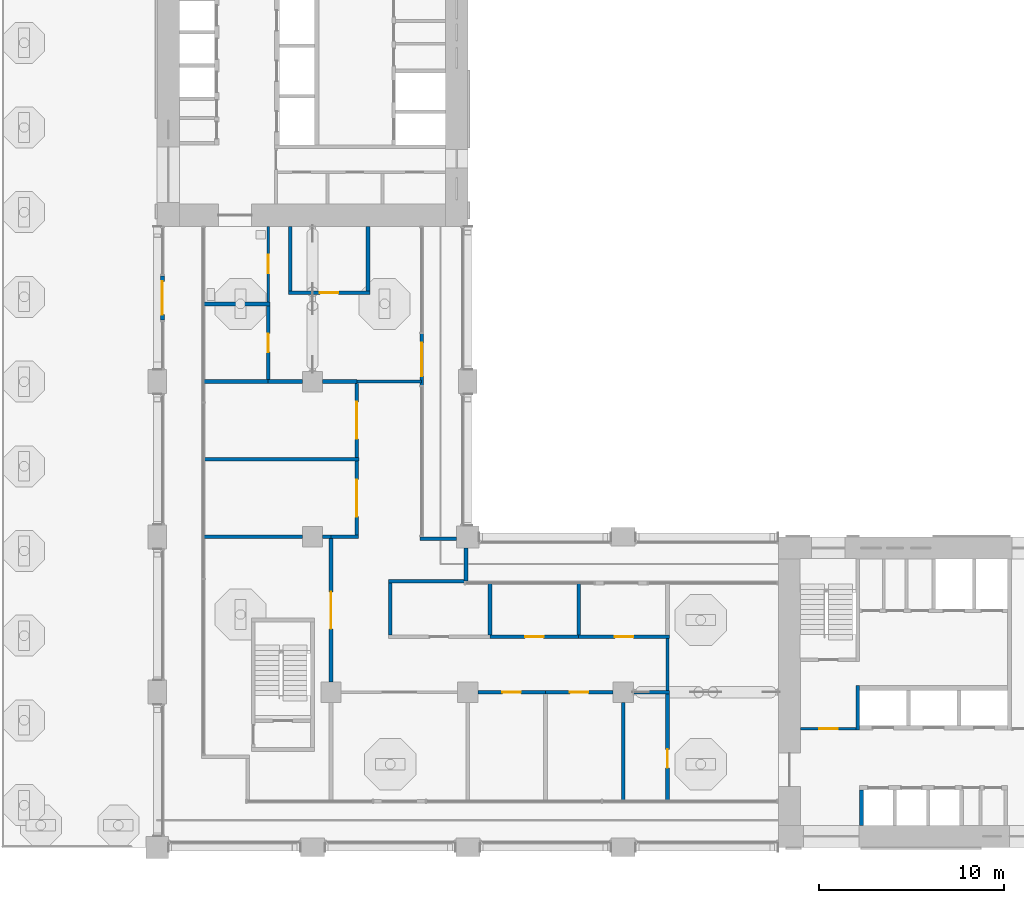
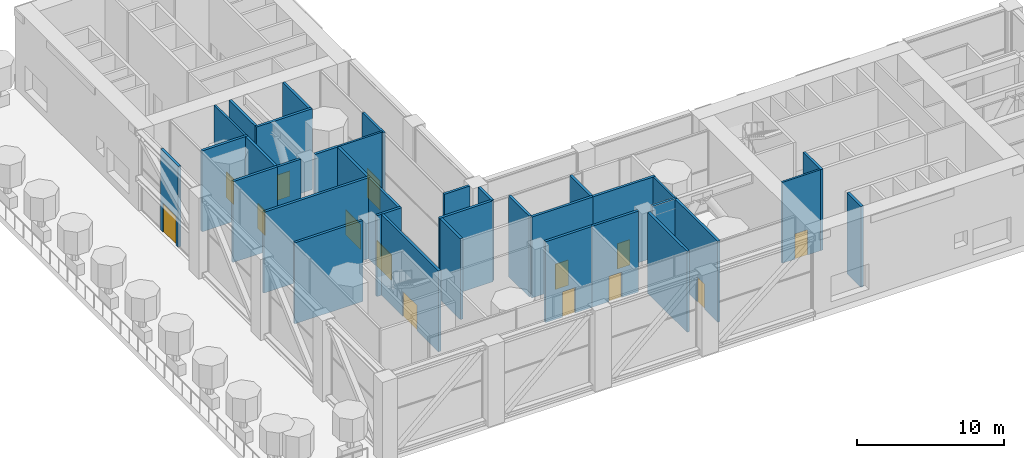
# One storey, part 9 of 22: 36 walls, 14 doors, 14 openings.
"""IFC4 building model written with IfcOpenShell, lengths in metres."""

from ifc_helpers import new_model, si_unit, direction, frame, frame_2d, origin, place, context, subcontext, project, spatial, rectangle, extrude, material, layer, layer_set, type_object, element, fill, save


model = new_model("IFC4")

# Units and contexts
model_context = context("Model", 3, precision=1e-05, world=origin(), true_north=direction((0.0, 1.0)))
body_context = subcontext(model_context, "Body", "Model", "MODEL_VIEW")
ifc_project = project(units=[si_unit("LENGTHUNIT", "METRE"), si_unit("AREAUNIT", "SQUARE_METRE"), si_unit("VOLUMEUNIT", "CUBIC_METRE"), si_unit("PLANEANGLEUNIT", "RADIAN"), si_unit("MASSUNIT", "GRAM", prefix="KILO")], contexts=[model_context])

# Site, building, storey
site_placement = place(None, origin())
site = spatial("IfcSite", under=ifc_project, at=site_placement, CompositionType="ELEMENT")
building_placement = place(site_placement, origin())
building = spatial("IfcBuilding", under=site, at=building_placement, Name="Vermilion Gate Residences", CompositionType="ELEMENT")
storey_placement = place(building_placement, frame((0.0, 0.0, 140.699951171875)))
storey = spatial("IfcBuildingStorey", under=building, at=storey_placement, Name="L36", CompositionType="ELEMENT", Elevation=140.699951171875)

# Wall, opening, door
ifc_material_1 = material(Name="Masonry blockwork", Category="masonry")
ifc_layer_1 = layer(ifc_material_1, 0.14990234375)
ifc_layer_set_1 = layer_set([ifc_layer_1], Name="BLOCKWORK PARTITION 150 EI 120")
wall_type_1 = type_object("IfcWallType", Name="BLOCKWORK PARTITION 150 EI 120", PredefinedType="PARTITIONING", material=ifc_layer_set_1)
wall_1_placement = place(storey_placement, frame((43.199951171875, 14.824951171875, 0.0), z_axis=(0.0, 0.0, 1.0), x_axis=(1.0, 0.0, 0.0)))
wall_1 = element("IfcWall", 1, at=wall_1_placement, inside=storey, type_object=wall_type_1, Name="Core room partition A36-VW-S", PredefinedType="PARTITIONING", context=body_context, shape_type="SweptSolid", body=[
    extrude(rectangle(XDim=3.0, YDim=0.14990234375, at=frame_2d((1.5, 0.0))), origin(), (0.0, 0.0, 1.0), 6.719970703125),
])
opening_1_placement = place(wall_1_placement, frame((1.0, 0.0, 0.0)))
opening_1 = element("IfcOpeningElement", 2, at=opening_1_placement, cuts=wall_1, Name="Opening DK36016", PredefinedType="OPENING", context=body_context, shape_type="SweptSolid", body=[
    extrude(rectangle(XDim=1.0, YDim=2.10009765625, at=frame_2d((0.5, 1.050048828125))), frame((0.0, 0.0849609375, 0.0), z_axis=(0.0, -1.0, 0.0), x_axis=(1.0, 0.0, 0.0)), (0.0, 0.0, 1.0), 0.169921875),
])
ifc_material_2 = material(Name="Steel", Category="steel")
door_type_1 = type_object("IfcDoorType", Name="FIRE DOOR FD60 1000 X 2100", OperationType="SINGLE_SWING_LEFT", PredefinedType="DOOR", material=ifc_material_2)
door_1_placement = place(opening_1_placement, frame((1.0, 0.0, 0.0), z_axis=(0.0, 0.0, 1.0), x_axis=(-1.0, 0.0, 0.0)))
door_1 = element("IfcDoor", 3, at=door_1_placement, inside=storey, type_object=door_type_1, Name="Stair vestibule door A36", OperationType="SINGLE_SWING_RIGHT", OverallHeight=2.10009765625, OverallWidth=1.0, PredefinedType="DOOR", context=body_context, shape_type="SweptSolid", body=[
    extrude(rectangle(XDim=1.0, YDim=2.10009765625, at=frame_2d((0.5, 1.050048828125))), frame((0.0, 0.02490234375, 0.0), z_axis=(0.0, -1.0, 0.0), x_axis=(1.0, 0.0, 0.0)), (0.0, 0.0, 1.0), 0.050048828125),
])
fill(opening_1, door_1)

# Walls
ifc_material_3 = material(Name="Insulated steel stud wall with terracotta rainscreen", Category="masonry")
ifc_layer_2 = layer(ifc_material_3, 0.199951171875)
ifc_layer_set_2 = layer_set([ifc_layer_2], Name="EXTERNAL WALL 200 TERRACOTTA RAINSCREEN")
wall_type_2 = type_object("IfcWallType", Name="EXTERNAL WALL 200 TERRACOTTA RAINSCREEN", PredefinedType="SOLIDWALL", material=ifc_layer_set_2)
wall_2_placement = place(storey_placement, frame((25.10009765625, 22.800048828125, 0.0), z_axis=(0.0, 0.0, 1.0), x_axis=(0.0, 1.0, 0.0)))
element("IfcWall", 4, at=wall_2_placement, inside=storey, type_object=wall_type_2, Name="External wall", PredefinedType="SOLIDWALL", context=body_context, shape_type="SweptSolid", body=[
    extrude(rectangle(XDim=1.800048828125, YDim=0.199951171875, at=frame_2d((0.89990234375, 0.0))), origin(), (0.0, 0.0, 1.0), 6.719970703125),
])
wall_3_placement = place(storey_placement, frame((24.60009765625, 25.10009765625, 0.0), z_axis=(0.0, 0.0, 1.0), x_axis=(-1.0, 0.0, 0.0)))
element("IfcWall", 5, at=wall_3_placement, inside=storey, type_object=wall_type_2, Name="External wall", PredefinedType="SOLIDWALL", context=body_context, shape_type="SweptSolid", body=[
    extrude(rectangle(XDim=2.0, YDim=0.199951171875, at=frame_2d((1.0, 0.0))), origin(), (0.0, 0.0, 1.0), 6.719970703125),
])

# Wall, opening, door
wall_4_placement = place(storey_placement, frame((22.699951171875, 33.39990234375, 0.0), z_axis=(0.0, 0.0, 1.0), x_axis=(0.0, 1.0, 0.0)))
wall_4 = element("IfcWall", 6, at=wall_4_placement, inside=storey, type_object=wall_type_2, Name="External wall", PredefinedType="SOLIDWALL", context=body_context, shape_type="SweptSolid", body=[
    extrude(rectangle(XDim=2.800048828125, YDim=0.199951171875, at=frame_2d((1.39990234375, 0.0))), origin(), (0.0, 0.0, 1.0), 6.719970703125),
])
opening_2_placement = place(wall_4_placement, frame((0.5, 0.0, 0.0)))
opening_2 = element("IfcOpeningElement", 7, at=opening_2_placement, cuts=wall_4, Name="Opening DE36004", PredefinedType="OPENING", context=body_context, shape_type="SweptSolid", body=[
    extrude(rectangle(XDim=1.800048828125, YDim=2.39990234375, at=frame_2d((0.89990234375, 1.199951171875))), frame((0.0, 0.10986328125, 0.0), z_axis=(0.0, -1.0, 0.0), x_axis=(1.0, 0.0, 0.0)), (0.0, 0.0, 1.0), 0.219970703125),
])
ifc_material_4 = material(Name="Aluminium and clear glass", Category="aluminium")
door_type_2 = type_object("IfcDoorType", Name="GLAZED EXTERNAL DOOR 1800 X 2400", OperationType="DOUBLE_DOOR_SINGLE_SWING", PredefinedType="DOOR", material=ifc_material_4)
door_2_placement = place(opening_2_placement, frame((1.800048828125, 0.0, 0.0), z_axis=(0.0, 0.0, 1.0), x_axis=(-1.0, 0.0, 0.0)))
door_2 = element("IfcDoor", 8, at=door_2_placement, inside=storey, type_object=door_type_2, Name="Terrace door", OperationType="DOUBLE_DOOR_SINGLE_SWING", OverallHeight=2.39990234375, OverallWidth=1.800048828125, PredefinedType="DOOR", context=body_context, shape_type="SweptSolid", body=[
    extrude(rectangle(XDim=1.800048828125, YDim=2.39990234375, at=frame_2d((0.89990234375, 1.199951171875))), frame((0.0, 0.02490234375, 0.0), z_axis=(0.0, -1.0, 0.0), x_axis=(1.0, 0.0, 0.0)), (0.0, 0.0, 1.0), 0.050048828125),
])
fill(opening_2, door_2)

wall_5_placement = place(storey_placement, frame((8.679931640625, 39.324951171875, 0.0), z_axis=(0.0, 0.0, 1.0), x_axis=(0.0, -1.0, 0.0)))
wall_5 = element("IfcWall", 9, at=wall_5_placement, inside=storey, type_object=wall_type_2, Name="External wall", PredefinedType="SOLIDWALL", context=body_context, shape_type="SweptSolid", body=[
    extrude(rectangle(XDim=2.39990234375, YDim=0.199951171875, at=frame_2d((1.199951171875, 0.0))), origin(), (0.0, 0.0, 1.0), 6.719970703125),
])
opening_3_placement = place(wall_5_placement, frame((0.300048828125, 0.0, 0.0)))
opening_3 = element("IfcOpeningElement", 10, at=opening_3_placement, cuts=wall_5, Name="Opening DE36005", PredefinedType="OPENING", context=body_context, shape_type="SweptSolid", body=[
    extrude(rectangle(XDim=1.800048828125, YDim=2.39990234375, at=frame_2d((0.89990234375, 1.199951171875))), frame((0.0, 0.10986328125, 0.0), z_axis=(0.0, -1.0, 0.0), x_axis=(1.0, 0.0, 0.0)), (0.0, 0.0, 1.0), 0.219970703125),
])
door_3_placement = place(opening_3_placement, frame((1.800048828125, 0.0, 0.0), z_axis=(0.0, 0.0, 1.0), x_axis=(-1.0, 0.0, 0.0)))
door_3 = element("IfcDoor", 11, at=door_3_placement, inside=storey, type_object=door_type_2, Name="Terrace door", OperationType="DOUBLE_DOOR_SINGLE_SWING", OverallHeight=2.39990234375, OverallWidth=1.800048828125, PredefinedType="DOOR", context=body_context, shape_type="SweptSolid", body=[
    extrude(rectangle(XDim=1.800048828125, YDim=2.39990234375, at=frame_2d((0.89990234375, 1.199951171875))), frame((0.0, 0.02490234375, 0.0), z_axis=(0.0, -1.0, 0.0), x_axis=(1.0, 0.0, 0.0)), (0.0, 0.0, 1.0), 0.050048828125),
])
fill(opening_3, door_3)

# Walls
ifc_material_5 = material(Name="Concrete blockwork", Category="masonry")
ifc_layer_3 = layer(ifc_material_5, 0.199951171875)
ifc_layer_set_3 = layer_set([ifc_layer_3], Name="FIRE WALL 200 EI 120 (AMENITY)")
wall_type_3 = type_object("IfcWallType", Name="FIRE WALL 200 EI 120 (AMENITY)", PredefinedType="PARTITIONING", material=ifc_layer_set_3)
wall_6_placement = place(storey_placement, frame((10.89990234375, 25.199951171875, 0.0), z_axis=(0.0, 0.0, 1.0), x_axis=(1.0, 0.0, 0.0)))
element("IfcWall", 12, at=wall_6_placement, inside=storey, type_object=wall_type_3, Name="Fire-resisting wall 1", PredefinedType="PARTITIONING", context=body_context, shape_type="SweptSolid", body=[
    extrude(rectangle(XDim=5.35009765625, YDim=0.199951171875, at=frame_2d((2.675048828125, 0.0))), origin(), (0.0, 0.0, 1.0), 6.719970703125),
])
wall_7_placement = place(storey_placement, frame((17.35009765625, 25.199951171875, 0.0), z_axis=(0.0, 0.0, 1.0), x_axis=(1.0, 0.0, 0.0)))
element("IfcWall", 13, at=wall_7_placement, inside=storey, type_object=wall_type_3, Name="Fire-resisting wall 2", PredefinedType="PARTITIONING", context=body_context, shape_type="SweptSolid", body=[
    extrude(rectangle(XDim=0.449951171875, YDim=0.199951171875, at=frame_2d((0.22509765625, 0.0))), origin(), (0.0, 0.0, 1.0), 6.719970703125),
])
wall_8_placement = place(storey_placement, frame((10.89990234375, 29.39990234375, 0.0), z_axis=(0.0, 0.0, 1.0), x_axis=(1.0, 0.0, 0.0)))
element("IfcWall", 14, at=wall_8_placement, inside=storey, type_object=wall_type_3, Name="Fire-resisting wall 3", PredefinedType="PARTITIONING", context=body_context, shape_type="SweptSolid", body=[
    extrude(rectangle(XDim=8.400146484375, YDim=0.199951171875, at=frame_2d((4.2001953125, 0.0))), origin(), (0.0, 0.0, 1.0), 6.719970703125),
])
wall_9_placement = place(storey_placement, frame((10.89990234375, 33.60009765625, 0.0), z_axis=(0.0, 0.0, 1.0), x_axis=(1.0, 0.0, 0.0)))
element("IfcWall", 15, at=wall_9_placement, inside=storey, type_object=wall_type_3, Name="Fire-resisting wall 4", PredefinedType="PARTITIONING", context=body_context, shape_type="SweptSolid", body=[
    extrude(rectangle(XDim=3.5, YDim=0.199951171875, at=frame_2d((1.75, 0.0))), origin(), (0.0, 0.0, 1.0), 6.719970703125),
])
wall_10_placement = place(storey_placement, frame((10.89990234375, 37.800048828125, 0.0), z_axis=(0.0, 0.0, 1.0), x_axis=(1.0, 0.0, 0.0)))
element("IfcWall", 16, at=wall_10_placement, inside=storey, type_object=wall_type_3, Name="Fire-resisting wall 5", PredefinedType="PARTITIONING", context=body_context, shape_type="SweptSolid", body=[
    extrude(rectangle(XDim=3.60009765625, YDim=0.199951171875, at=frame_2d((1.800048828125, 0.0))), origin(), (0.0, 0.0, 1.0), 6.719970703125),
])

# Wall, opening, door
wall_11_placement = place(storey_placement, frame((14.39990234375, 33.699951171875, 0.0), z_axis=(0.0, 0.0, 1.0), x_axis=(0.0, 1.0, 0.0)))
wall_11 = element("IfcWall", 17, at=wall_11_placement, inside=storey, type_object=wall_type_3, Name="Fire-resisting wall 6", PredefinedType="PARTITIONING", context=body_context, shape_type="SweptSolid", body=[
    extrude(rectangle(XDim=4.0, YDim=0.199951171875, at=frame_2d((2.0, 0.0))), origin(), (0.0, 0.0, 1.0), 6.719970703125),
])
opening_4_placement = place(wall_11_placement, frame((1.5, 0.0, 0.0)))
opening_4 = element("IfcOpeningElement", 18, at=opening_4_placement, cuts=wall_11, Name="Opening DM36009", PredefinedType="OPENING", context=body_context, shape_type="SweptSolid", body=[
    extrude(rectangle(XDim=1.0, YDim=2.10009765625, at=frame_2d((0.5, 1.050048828125))), frame((0.0, 0.10986328125, 0.0), z_axis=(0.0, -1.0, 0.0), x_axis=(1.0, 0.0, 0.0)), (0.0, 0.0, 1.0), 0.219970703125),
])
ifc_material_6 = material(Name="Steel", Category="steel")
door_type_3 = type_object("IfcDoorType", Name="DOOR 1000 X 2100 FD60 (AMENITY)", OperationType="SINGLE_SWING_LEFT", PredefinedType="DOOR", material=ifc_material_6)
door_4_placement = place(opening_4_placement, frame((1.0, 0.0, 0.0), z_axis=(0.0, 0.0, 1.0), x_axis=(-1.0, 0.0, 0.0)))
door_4 = element("IfcDoor", 19, at=door_4_placement, inside=storey, type_object=door_type_3, Name="Door L36 9", OperationType="SINGLE_SWING_RIGHT", OverallHeight=2.10009765625, OverallWidth=1.0, PredefinedType="DOOR", context=body_context, shape_type="SweptSolid", body=[
    extrude(rectangle(XDim=1.0, YDim=2.10009765625, at=frame_2d((0.5, 1.050048828125))), frame((0.0, 0.02490234375, 0.0), z_axis=(0.0, -1.0, 0.0), x_axis=(1.0, 0.0, 0.0)), (0.0, 0.0, 1.0), 0.050048828125),
])
fill(opening_4, door_4)

# Walls
wall_12_placement = place(storey_placement, frame((14.39990234375, 33.60009765625, 0.0), z_axis=(0.0, 0.0, 1.0), x_axis=(1.0, 0.0, 0.0)))
element("IfcWall", 20, at=wall_12_placement, inside=storey, type_object=wall_type_3, Name="Fire-resisting wall 7", PredefinedType="PARTITIONING", context=body_context, shape_type="SweptSolid", body=[
    extrude(rectangle(XDim=1.85009765625, YDim=0.199951171875, at=frame_2d((0.925048828125, 0.0))), origin(), (0.0, 0.0, 1.0), 6.719970703125),
])
wall_13_placement = place(storey_placement, frame((17.35009765625, 33.60009765625, 0.0), z_axis=(0.0, 0.0, 1.0), x_axis=(1.0, 0.0, 0.0)))
element("IfcWall", 21, at=wall_13_placement, inside=storey, type_object=wall_type_3, Name="Fire-resisting wall 8", PredefinedType="PARTITIONING", context=body_context, shape_type="SweptSolid", body=[
    extrude(rectangle(XDim=1.849853515625, YDim=0.199951171875, at=frame_2d((0.9248046875, 0.0))), origin(), (0.0, 0.0, 1.0), 6.719970703125),
])
wall_14_placement = place(storey_placement, frame((15.60009765625, 38.5, 0.0), z_axis=(0.0, 0.0, 1.0), x_axis=(0.0, 1.0, 0.0)))
element("IfcWall", 22, at=wall_14_placement, inside=storey, type_object=wall_type_3, Name="Fire-resisting wall 10", PredefinedType="PARTITIONING", context=body_context, shape_type="SweptSolid", body=[
    extrude(rectangle(XDim=3.5, YDim=0.199951171875, at=frame_2d((1.75, 0.0))), origin(), (0.0, 0.0, 1.0), 6.719970703125),
])

# Wall, opening, door
wall_15_placement = place(storey_placement, frame((15.5, 38.39990234375, 0.0), z_axis=(0.0, 0.0, 1.0), x_axis=(1.0, 0.0, 0.0)))
wall_15 = element("IfcWall", 23, at=wall_15_placement, inside=storey, type_object=wall_type_3, Name="Fire-resisting wall 11", PredefinedType="PARTITIONING", context=body_context, shape_type="SweptSolid", body=[
    extrude(rectangle(XDim=4.39990234375, YDim=0.199951171875, at=frame_2d((2.199951171875, 0.0))), origin(), (0.0, 0.0, 1.0), 6.719970703125),
])
opening_5_placement = place(wall_15_placement, frame((1.699951171875, 0.0, 0.0)))
opening_5 = element("IfcOpeningElement", 24, at=opening_5_placement, cuts=wall_15, Name="Opening DM36010", PredefinedType="OPENING", context=body_context, shape_type="SweptSolid", body=[
    extrude(rectangle(XDim=1.0, YDim=2.10009765625, at=frame_2d((0.5, 1.050048828125))), frame((0.0, 0.10986328125, 0.0), z_axis=(0.0, -1.0, 0.0), x_axis=(1.0, 0.0, 0.0)), (0.0, 0.0, 1.0), 0.219970703125),
])
door_5_placement = place(opening_5_placement, frame((1.0, 0.0, 0.0), z_axis=(0.0, 0.0, 1.0), x_axis=(-1.0, 0.0, 0.0)))
door_5 = element("IfcDoor", 25, at=door_5_placement, inside=storey, type_object=door_type_3, Name="Door L36 10", OperationType="SINGLE_SWING_LEFT", OverallHeight=2.10009765625, OverallWidth=1.0, PredefinedType="DOOR", context=body_context, shape_type="SweptSolid", body=[
    extrude(rectangle(XDim=1.0, YDim=2.10009765625, at=frame_2d((0.5, 1.050048828125))), frame((0.0, 0.02490234375, 0.0), z_axis=(0.0, -1.0, 0.0), x_axis=(1.0, 0.0, 0.0)), (0.0, 0.0, 1.0), 0.050048828125),
])
fill(opening_5, door_5)

wall_16_placement = place(storey_placement, frame((17.800048828125, 17.35009765625, 0.0), z_axis=(0.0, 0.0, 1.0), x_axis=(0.0, 1.0, 0.0)))
wall_16 = element("IfcWall", 26, at=wall_16_placement, inside=storey, type_object=wall_type_3, Name="Fire-resisting wall 13", PredefinedType="PARTITIONING", context=body_context, shape_type="SweptSolid", body=[
    extrude(rectangle(XDim=7.75, YDim=0.199951171875, at=frame_2d((3.875, 0.0))), origin(), (0.0, 0.0, 1.0), 6.719970703125),
])
opening_6_placement = place(wall_16_placement, frame((2.875, 0.0, 0.0)))
opening_6 = element("IfcOpeningElement", 27, at=opening_6_placement, cuts=wall_16, Name="Opening DM36001", PredefinedType="OPENING", context=body_context, shape_type="SweptSolid", body=[
    extrude(rectangle(XDim=2.0, YDim=2.10009765625, at=frame_2d((1.0, 1.050048828125))), frame((0.0, 0.10986328125, 0.0), z_axis=(0.0, -1.0, 0.0), x_axis=(1.0, 0.0, 0.0)), (0.0, 0.0, 1.0), 0.219970703125),
])
ifc_material_7 = material(Name="Steel", Category="steel")
door_type_4 = type_object("IfcDoorType", Name="DOUBLE DOOR 2000 X 2100 FD60 (AMENITY)", OperationType="DOUBLE_DOOR_SINGLE_SWING", PredefinedType="DOOR", material=ifc_material_7)
door_6_placement = place(opening_6_placement, frame((2.0, 0.0, 0.0), z_axis=(0.0, 0.0, 1.0), x_axis=(-1.0, 0.0, 0.0)))
door_6 = element("IfcDoor", 28, at=door_6_placement, inside=storey, type_object=door_type_4, Name="Door L36 1", OperationType="DOUBLE_DOOR_SINGLE_SWING", OverallHeight=2.10009765625, OverallWidth=2.0, PredefinedType="DOOR", context=body_context, shape_type="SweptSolid", body=[
    extrude(rectangle(XDim=2.0, YDim=2.10009765625, at=frame_2d((1.0, 1.050048828125))), frame((0.0, 0.02490234375, 0.0), z_axis=(0.0, -1.0, 0.0), x_axis=(1.0, 0.0, 0.0)), (0.0, 0.0, 1.0), 0.050048828125),
])
fill(opening_6, door_6)

# Wall
wall_17_placement = place(storey_placement, frame((17.800048828125, 25.199951171875, 0.0), z_axis=(0.0, 0.0, 1.0), x_axis=(1.0, 0.0, 0.0)))
element("IfcWall", 29, at=wall_17_placement, inside=storey, type_object=wall_type_3, Name="Fire-resisting wall 15", PredefinedType="PARTITIONING", context=body_context, shape_type="SweptSolid", body=[
    extrude(rectangle(XDim=1.5, YDim=0.199951171875, at=frame_2d((0.75, 0.0))), origin(), (0.0, 0.0, 1.0), 6.719970703125),
])

# Wall, opening, door
wall_18_placement = place(storey_placement, frame((19.199951171875, 25.300048828125, 0.0), z_axis=(0.0, 0.0, 1.0), x_axis=(0.0, 1.0, 0.0)))
wall_18 = element("IfcWall", 30, at=wall_18_placement, inside=storey, type_object=wall_type_3, Name="Fire-resisting wall 16", PredefinedType="PARTITIONING", context=body_context, shape_type="SweptSolid", body=[
    extrude(rectangle(XDim=4.0, YDim=0.199951171875, at=frame_2d((2.0, 0.0))), origin(), (0.0, 0.0, 1.0), 6.719970703125),
])
opening_7_placement = place(wall_18_placement, frame((1.0, 0.0, 0.0)))
opening_7 = element("IfcOpeningElement", 31, at=opening_7_placement, cuts=wall_18, Name="Opening DM36006", PredefinedType="OPENING", context=body_context, shape_type="SweptSolid", body=[
    extrude(rectangle(XDim=2.0, YDim=2.10009765625, at=frame_2d((1.0, 1.050048828125))), frame((0.0, 0.10986328125, 0.0), z_axis=(0.0, -1.0, 0.0), x_axis=(1.0, 0.0, 0.0)), (0.0, 0.0, 1.0), 0.219970703125),
])
door_7_placement = place(opening_7_placement, origin())
door_7 = element("IfcDoor", 32, at=door_7_placement, inside=storey, type_object=door_type_4, Name="Door L36 6", OperationType="DOUBLE_DOOR_SINGLE_SWING", OverallHeight=2.10009765625, OverallWidth=2.0, PredefinedType="DOOR", context=body_context, shape_type="SweptSolid", body=[
    extrude(rectangle(XDim=2.0, YDim=2.10009765625, at=frame_2d((1.0, 1.050048828125))), frame((0.0, 0.02490234375, 0.0), z_axis=(0.0, -1.0, 0.0), x_axis=(1.0, 0.0, 0.0)), (0.0, 0.0, 1.0), 0.050048828125),
])
fill(opening_7, door_7)

wall_19_placement = place(storey_placement, frame((19.199951171875, 29.5, 0.0), z_axis=(0.0, 0.0, 1.0), x_axis=(0.0, 1.0, 0.0)))
wall_19 = element("IfcWall", 33, at=wall_19_placement, inside=storey, type_object=wall_type_3, Name="Fire-resisting wall 17", PredefinedType="PARTITIONING", context=body_context, shape_type="SweptSolid", body=[
    extrude(rectangle(XDim=4.0, YDim=0.199951171875, at=frame_2d((2.0, 0.0))), origin(), (0.0, 0.0, 1.0), 6.719970703125),
])
opening_8_placement = place(wall_19_placement, frame((1.0, 0.0, 0.0)))
opening_8 = element("IfcOpeningElement", 34, at=opening_8_placement, cuts=wall_19, Name="Opening DM36007", PredefinedType="OPENING", context=body_context, shape_type="SweptSolid", body=[
    extrude(rectangle(XDim=2.0, YDim=2.10009765625, at=frame_2d((1.0, 1.050048828125))), frame((0.0, 0.10986328125, 0.0), z_axis=(0.0, -1.0, 0.0), x_axis=(1.0, 0.0, 0.0)), (0.0, 0.0, 1.0), 0.219970703125),
])
door_8_placement = place(opening_8_placement, origin())
door_8 = element("IfcDoor", 35, at=door_8_placement, inside=storey, type_object=door_type_4, Name="Door L36 7", OperationType="DOUBLE_DOOR_SINGLE_SWING", OverallHeight=2.10009765625, OverallWidth=2.0, PredefinedType="DOOR", context=body_context, shape_type="SweptSolid", body=[
    extrude(rectangle(XDim=2.0, YDim=2.10009765625, at=frame_2d((1.0, 1.050048828125))), frame((0.0, 0.02490234375, 0.0), z_axis=(0.0, -1.0, 0.0), x_axis=(1.0, 0.0, 0.0)), (0.0, 0.0, 1.0), 0.050048828125),
])
fill(opening_8, door_8)

# Walls
wall_20_placement = place(storey_placement, frame((19.800048828125, 38.5, 0.0), z_axis=(0.0, 0.0, 1.0), x_axis=(0.0, 1.0, 0.0)))
element("IfcWall", 36, at=wall_20_placement, inside=storey, type_object=wall_type_3, Name="Fire-resisting wall 19", PredefinedType="PARTITIONING", context=body_context, shape_type="SweptSolid", body=[
    extrude(rectangle(XDim=3.5, YDim=0.199951171875, at=frame_2d((1.75, 0.0))), origin(), (0.0, 0.0, 1.0), 6.719970703125),
])
wall_21_placement = place(storey_placement, frame((21.0, 19.89990234375, 0.0), z_axis=(0.0, 0.0, 1.0), x_axis=(0.0, 1.0, 0.0)))
element("IfcWall", 37, at=wall_21_placement, inside=storey, type_object=wall_type_3, Name="Fire-resisting wall 20", PredefinedType="PARTITIONING", context=body_context, shape_type="SweptSolid", body=[
    extrude(rectangle(XDim=2.800048828125, YDim=0.199951171875, at=frame_2d((1.39990234375, 0.0))), origin(), (0.0, 0.0, 1.0), 6.719970703125),
])
wall_22_placement = place(storey_placement, frame((20.89990234375, 22.800048828125, 0.0), z_axis=(0.0, 0.0, 1.0), x_axis=(1.0, 0.0, 0.0)))
element("IfcWall", 38, at=wall_22_placement, inside=storey, type_object=wall_type_3, Name="Fire-resisting wall 22", PredefinedType="PARTITIONING", context=body_context, shape_type="SweptSolid", body=[
    extrude(rectangle(XDim=4.2001953125, YDim=0.199951171875, at=frame_2d((2.10009765625, 0.0))), origin(), (0.0, 0.0, 1.0), 6.719970703125),
])

# Wall, opening, door
wall_23_placement = place(storey_placement, frame((25.75, 16.800048828125, 0.0), z_axis=(0.0, 0.0, 1.0), x_axis=(1.0, 0.0, 0.0)))
wall_23 = element("IfcWall", 39, at=wall_23_placement, inside=storey, type_object=wall_type_3, Name="Fire-resisting wall 24", PredefinedType="PARTITIONING", context=body_context, shape_type="SweptSolid", body=[
    extrude(rectangle(XDim=3.64990234375, YDim=0.199951171875, at=frame_2d((1.824951171875, 0.0))), origin(), (0.0, 0.0, 1.0), 6.719970703125),
])
opening_9_placement = place(wall_23_placement, frame((1.324951171875, 0.0, 0.0)))
opening_9 = element("IfcOpeningElement", 40, at=opening_9_placement, cuts=wall_23, Name="Opening DM36003", PredefinedType="OPENING", context=body_context, shape_type="SweptSolid", body=[
    extrude(rectangle(XDim=1.0, YDim=2.10009765625, at=frame_2d((0.5, 1.050048828125))), frame((0.0, 0.10986328125, 0.0), z_axis=(0.0, -1.0, 0.0), x_axis=(1.0, 0.0, 0.0)), (0.0, 0.0, 1.0), 0.219970703125),
])
door_9_placement = place(opening_9_placement, origin())
door_9 = element("IfcDoor", 41, at=door_9_placement, inside=storey, type_object=door_type_3, Name="Door L36 3", OperationType="SINGLE_SWING_LEFT", OverallHeight=2.10009765625, OverallWidth=1.0, PredefinedType="DOOR", context=body_context, shape_type="SweptSolid", body=[
    extrude(rectangle(XDim=1.0, YDim=2.10009765625, at=frame_2d((0.5, 1.050048828125))), frame((0.0, 0.02490234375, 0.0), z_axis=(0.0, -1.0, 0.0), x_axis=(1.0, 0.0, 0.0)), (0.0, 0.0, 1.0), 0.050048828125),
])
fill(opening_9, door_9)

# Wall
wall_24_placement = place(storey_placement, frame((26.39990234375, 19.89990234375, 0.0), z_axis=(0.0, 0.0, 1.0), x_axis=(0.0, 1.0, 0.0)))
element("IfcWall", 42, at=wall_24_placement, inside=storey, type_object=wall_type_3, Name="Fire-resisting wall 25", PredefinedType="PARTITIONING", context=body_context, shape_type="SweptSolid", body=[
    extrude(rectangle(XDim=2.800048828125, YDim=0.199951171875, at=frame_2d((1.39990234375, 0.0))), origin(), (0.0, 0.0, 1.0), 6.719970703125),
])

# Wall, opening, door
wall_25_placement = place(storey_placement, frame((26.39990234375, 19.800048828125, 0.0), z_axis=(0.0, 0.0, 1.0), x_axis=(1.0, 0.0, 0.0)))
wall_25 = element("IfcWall", 43, at=wall_25_placement, inside=storey, type_object=wall_type_3, Name="Fire-resisting wall 26", PredefinedType="PARTITIONING", context=body_context, shape_type="SweptSolid", body=[
    extrude(rectangle(XDim=4.800048828125, YDim=0.199951171875, at=frame_2d((2.39990234375, 0.0))), origin(), (0.0, 0.0, 1.0), 6.719970703125),
])
opening_10_placement = place(wall_25_placement, frame((1.89990234375, 0.0, 0.0)))
opening_10 = element("IfcOpeningElement", 44, at=opening_10_placement, cuts=wall_25, Name="Opening DM36012", PredefinedType="OPENING", context=body_context, shape_type="SweptSolid", body=[
    extrude(rectangle(XDim=1.0, YDim=2.10009765625, at=frame_2d((0.5, 1.050048828125))), frame((0.0, 0.10986328125, 0.0), z_axis=(0.0, -1.0, 0.0), x_axis=(1.0, 0.0, 0.0)), (0.0, 0.0, 1.0), 0.219970703125),
])
door_10_placement = place(opening_10_placement, origin())
door_10 = element("IfcDoor", 45, at=door_10_placement, inside=storey, type_object=door_type_3, Name="Door L36 12", OperationType="SINGLE_SWING_LEFT", OverallHeight=2.10009765625, OverallWidth=1.0, PredefinedType="DOOR", context=body_context, shape_type="SweptSolid", body=[
    extrude(rectangle(XDim=1.0, YDim=2.10009765625, at=frame_2d((0.5, 1.050048828125))), frame((0.0, 0.02490234375, 0.0), z_axis=(0.0, -1.0, 0.0), x_axis=(1.0, 0.0, 0.0)), (0.0, 0.0, 1.0), 0.050048828125),
])
fill(opening_10, door_10)

wall_26_placement = place(storey_placement, frame((29.39990234375, 16.800048828125, 0.0), z_axis=(0.0, 0.0, 1.0), x_axis=(1.0, 0.0, 0.0)))
wall_26 = element("IfcWall", 46, at=wall_26_placement, inside=storey, type_object=wall_type_3, Name="Fire-resisting wall 28", PredefinedType="PARTITIONING", context=body_context, shape_type="SweptSolid", body=[
    extrude(rectangle(XDim=3.650146484375, YDim=0.199951171875, at=frame_2d((1.8251953125, 0.0))), origin(), (0.0, 0.0, 1.0), 6.719970703125),
])
opening_11_placement = place(wall_26_placement, frame((1.324951171875, 0.0, 0.0)))
opening_11 = element("IfcOpeningElement", 47, at=opening_11_placement, cuts=wall_26, Name="Opening DM36004", PredefinedType="OPENING", context=body_context, shape_type="SweptSolid", body=[
    extrude(rectangle(XDim=1.0, YDim=2.10009765625, at=frame_2d((0.5, 1.050048828125))), frame((0.0, 0.10986328125, 0.0), z_axis=(0.0, -1.0, 0.0), x_axis=(1.0, 0.0, 0.0)), (0.0, 0.0, 1.0), 0.219970703125),
])
door_11_placement = place(opening_11_placement, origin())
door_11 = element("IfcDoor", 48, at=door_11_placement, inside=storey, type_object=door_type_3, Name="Door L36 4", OperationType="SINGLE_SWING_RIGHT", OverallHeight=2.10009765625, OverallWidth=1.0, PredefinedType="DOOR", context=body_context, shape_type="SweptSolid", body=[
    extrude(rectangle(XDim=1.0, YDim=2.10009765625, at=frame_2d((0.5, 1.050048828125))), frame((0.0, 0.02490234375, 0.0), z_axis=(0.0, -1.0, 0.0), x_axis=(1.0, 0.0, 0.0)), (0.0, 0.0, 1.0), 0.050048828125),
])
fill(opening_11, door_11)

# Wall
wall_27_placement = place(storey_placement, frame((31.199951171875, 19.89990234375, 0.0), z_axis=(0.0, 0.0, 1.0), x_axis=(0.0, 1.0, 0.0)))
element("IfcWall", 49, at=wall_27_placement, inside=storey, type_object=wall_type_3, Name="Fire-resisting wall 29", PredefinedType="PARTITIONING", context=body_context, shape_type="SweptSolid", body=[
    extrude(rectangle(XDim=2.800048828125, YDim=0.199951171875, at=frame_2d((1.39990234375, 0.0))), origin(), (0.0, 0.0, 1.0), 6.719970703125),
])

# Wall, opening, door
wall_28_placement = place(storey_placement, frame((31.199951171875, 19.800048828125, 0.0), z_axis=(0.0, 0.0, 1.0), x_axis=(1.0, 0.0, 0.0)))
wall_28 = element("IfcWall", 50, at=wall_28_placement, inside=storey, type_object=wall_type_3, Name="Fire-resisting wall 30", PredefinedType="PARTITIONING", context=body_context, shape_type="SweptSolid", body=[
    extrude(rectangle(XDim=4.900146484375, YDim=0.199951171875, at=frame_2d((2.4501953125, 0.0))), origin(), (0.0, 0.0, 1.0), 6.719970703125),
])
opening_12_placement = place(wall_28_placement, frame((1.949951171875, 0.0, 0.0)))
opening_12 = element("IfcOpeningElement", 51, at=opening_12_placement, cuts=wall_28, Name="Opening DM36013", PredefinedType="OPENING", context=body_context, shape_type="SweptSolid", body=[
    extrude(rectangle(XDim=1.0, YDim=2.10009765625, at=frame_2d((0.5, 1.050048828125))), frame((0.0, 0.10986328125, 0.0), z_axis=(0.0, -1.0, 0.0), x_axis=(1.0, 0.0, 0.0)), (0.0, 0.0, 1.0), 0.219970703125),
])
door_12_placement = place(opening_12_placement, frame((1.0, 0.0, 0.0), z_axis=(0.0, 0.0, 1.0), x_axis=(-1.0, 0.0, 0.0)))
door_12 = element("IfcDoor", 52, at=door_12_placement, inside=storey, type_object=door_type_3, Name="Door L36 13", OperationType="SINGLE_SWING_LEFT", OverallHeight=2.10009765625, OverallWidth=1.0, PredefinedType="DOOR", context=body_context, shape_type="SweptSolid", body=[
    extrude(rectangle(XDim=1.0, YDim=2.10009765625, at=frame_2d((0.5, 1.050048828125))), frame((0.0, 0.02490234375, 0.0), z_axis=(0.0, -1.0, 0.0), x_axis=(1.0, 0.0, 0.0)), (0.0, 0.0, 1.0), 0.050048828125),
])
fill(opening_12, door_12)

# Walls
wall_29_placement = place(storey_placement, frame((33.60009765625, 10.89990234375, 0.0), z_axis=(0.0, 0.0, 1.0), x_axis=(0.0, 1.0, 0.0)))
element("IfcWall", 53, at=wall_29_placement, inside=storey, type_object=wall_type_3, Name="Fire-resisting wall 31", PredefinedType="PARTITIONING", context=body_context, shape_type="SweptSolid", body=[
    extrude(rectangle(XDim=5.35009765625, YDim=0.199951171875, at=frame_2d((2.675048828125, 0.0))), origin(), (0.0, 0.0, 1.0), 6.719970703125),
])
wall_30_placement = place(storey_placement, frame((34.14990234375, 16.800048828125, 0.0), z_axis=(0.0, 0.0, 1.0), x_axis=(1.0, 0.0, 0.0)))
element("IfcWall", 54, at=wall_30_placement, inside=storey, type_object=wall_type_3, Name="Fire-resisting wall 32", PredefinedType="PARTITIONING", context=body_context, shape_type="SweptSolid", body=[
    extrude(rectangle(XDim=1.9501953125, YDim=0.199951171875, at=frame_2d((0.97509765625, 0.0))), origin(), (0.0, 0.0, 1.0), 6.719970703125),
])

# Wall, opening, door
wall_31_placement = place(storey_placement, frame((36.0, 10.89990234375, 0.0), z_axis=(0.0, 0.0, 1.0), x_axis=(0.0, 1.0, 0.0)))
wall_31 = element("IfcWall", 55, at=wall_31_placement, inside=storey, type_object=wall_type_3, Name="Fire-resisting wall 33", PredefinedType="PARTITIONING", context=body_context, shape_type="SweptSolid", body=[
    extrude(rectangle(XDim=5.800048828125, YDim=0.199951171875, at=frame_2d((2.89990234375, 0.0))), origin(), (0.0, 0.0, 1.0), 6.719970703125),
])
opening_13_placement = place(wall_31_placement, frame((1.800048828125, 0.0, 0.0)))
opening_13 = element("IfcOpeningElement", 56, at=opening_13_placement, cuts=wall_31, Name="Opening DM36005", PredefinedType="OPENING", context=body_context, shape_type="SweptSolid", body=[
    extrude(rectangle(XDim=1.0, YDim=2.10009765625, at=frame_2d((0.5, 1.050048828125))), frame((0.0, 0.10986328125, 0.0), z_axis=(0.0, -1.0, 0.0), x_axis=(1.0, 0.0, 0.0)), (0.0, 0.0, 1.0), 0.219970703125),
])
door_13_placement = place(opening_13_placement, frame((1.0, 0.0, 0.0), z_axis=(0.0, 0.0, 1.0), x_axis=(-1.0, 0.0, 0.0)))
door_13 = element("IfcDoor", 57, at=door_13_placement, inside=storey, type_object=door_type_3, Name="Door L36 5", OperationType="SINGLE_SWING_LEFT", OverallHeight=2.10009765625, OverallWidth=1.0, PredefinedType="DOOR", context=body_context, shape_type="SweptSolid", body=[
    extrude(rectangle(XDim=1.0, YDim=2.10009765625, at=frame_2d((0.5, 1.050048828125))), frame((0.0, 0.02490234375, 0.0), z_axis=(0.0, -1.0, 0.0), x_axis=(1.0, 0.0, 0.0)), (0.0, 0.0, 1.0), 0.050048828125),
])
fill(opening_13, door_13)

ifc_material_8 = material(Name="Gypsum board on steel studs", Category="steel")
ifc_layer_4 = layer(ifc_material_8, 0.14990234375)
ifc_layer_set_4 = layer_set([ifc_layer_4], Name="PARTITION 150 EI 60 (AMENITY)")
wall_type_4 = type_object("IfcWallType", Name="PARTITION 150 EI 60 (AMENITY)", PredefinedType="PARTITIONING", material=ifc_layer_set_4)
wall_32_placement = place(storey_placement, frame((14.39990234375, 37.89990234375, 0.0), z_axis=(0.0, 0.0, 1.0), x_axis=(0.0, 1.0, 0.0)))
wall_32 = element("IfcWall", 58, at=wall_32_placement, inside=storey, type_object=wall_type_4, Name="Partition 9", PredefinedType="PARTITIONING", context=body_context, shape_type="SweptSolid", body=[
    extrude(rectangle(XDim=4.10009765625, YDim=0.14990234375, at=frame_2d((2.050048828125, 0.0))), origin(), (0.0, 0.0, 1.0), 6.719970703125),
])
opening_14_placement = place(wall_32_placement, frame((1.550048828125, 0.0, 0.0)))
opening_14 = element("IfcOpeningElement", 59, at=opening_14_placement, cuts=wall_32, Name="Opening DM36008", PredefinedType="OPENING", context=body_context, shape_type="SweptSolid", body=[
    extrude(rectangle(XDim=1.0, YDim=2.10009765625, at=frame_2d((0.5, 1.050048828125))), frame((0.0, 0.0849609375, 0.0), z_axis=(0.0, -1.0, 0.0), x_axis=(1.0, 0.0, 0.0)), (0.0, 0.0, 1.0), 0.169921875),
])
ifc_material_9 = material(Name="Steel", Category="steel")
door_type_5 = type_object("IfcDoorType", Name="DOOR 1000 X 2100 FD30 (AMENITY)", OperationType="SINGLE_SWING_LEFT", PredefinedType="DOOR", material=ifc_material_9)
door_14_placement = place(opening_14_placement, origin())
door_14 = element("IfcDoor", 60, at=door_14_placement, inside=storey, type_object=door_type_5, Name="Door L36 8", OperationType="SINGLE_SWING_LEFT", OverallHeight=2.10009765625, OverallWidth=1.0, PredefinedType="DOOR", context=body_context, shape_type="SweptSolid", body=[
    extrude(rectangle(XDim=1.0, YDim=2.10009765625, at=frame_2d((0.5, 1.050048828125))), frame((0.0, 0.02490234375, 0.0), z_axis=(0.0, -1.0, 0.0), x_axis=(1.0, 0.0, 0.0)), (0.0, 0.0, 1.0), 0.050048828125),
])
fill(opening_14, door_14)

# Walls
wall_33_placement = place(storey_placement, frame((19.199951171875, 33.60009765625, 0.0), z_axis=(0.0, 0.0, 1.0), x_axis=(1.0, 0.0, 0.0)))
element("IfcWall", 61, at=wall_33_placement, inside=storey, type_object=wall_type_4, Name="Partition 18", PredefinedType="PARTITIONING", context=body_context, shape_type="SweptSolid", body=[
    extrude(rectangle(XDim=3.5, YDim=0.14990234375, at=frame_2d((1.75, 0.0))), origin(), (0.0, 0.0, 1.0), 6.719970703125),
])
wall_34_placement = place(storey_placement, frame((36.0, 16.89990234375, 0.0), z_axis=(0.0, 0.0, 1.0), x_axis=(0.0, 1.0, 0.0)))
element("IfcWall", 62, at=wall_34_placement, inside=storey, type_object=wall_type_4, Name="Partition 34", PredefinedType="PARTITIONING", context=body_context, shape_type="SweptSolid", body=[
    extrude(rectangle(XDim=2.800048828125, YDim=0.14990234375, at=frame_2d((1.39990234375, 0.0))), origin(), (0.0, 0.0, 1.0), 6.719970703125),
])
ifc_material_10 = material(Name="Concrete C60", Category="concrete")
ifc_layer_5 = layer(ifc_material_10, 0.199951171875)
ifc_layer_set_5 = layer_set([ifc_layer_5], Name="RC CORE INTERNAL WALL 200 C60")
wall_type_5 = type_object("IfcWallType", Name="RC CORE INTERNAL WALL 200 C60", PredefinedType="SHEAR", material=ifc_layer_set_5)
wall_35_placement = place(storey_placement, frame((46.5, 9.60009765625, 0.0), z_axis=(0.0, 0.0, 1.0), x_axis=(0.0, 1.0, 0.0)))
element("IfcWall", 63, at=wall_35_placement, inside=storey, type_object=wall_type_5, Name="Core internal wall A36-LR-D0", PredefinedType="SHEAR", context=body_context, shape_type="SweptSolid", body=[
    extrude(rectangle(XDim=1.89990234375, YDim=0.199951171875, at=frame_2d((0.949951171875, 0.0))), origin(), (0.0, 0.0, 1.0), 6.719970703125),
])
wall_36_placement = place(storey_placement, frame((46.300048828125, 14.75, 0.0), z_axis=(0.0, 0.0, 1.0), x_axis=(0.0, 1.0, 0.0)))
element("IfcWall", 64, at=wall_36_placement, inside=storey, type_object=wall_type_5, Name="Core internal wall A36-WDIV1", PredefinedType="SHEAR", context=body_context, shape_type="SweptSolid", body=[
    extrude(rectangle(XDim=2.39990234375, YDim=0.199951171875, at=frame_2d((1.199951171875, 0.0))), origin(), (0.0, 0.0, 1.0), 6.719970703125),
])

save(model, "model.ifc")
